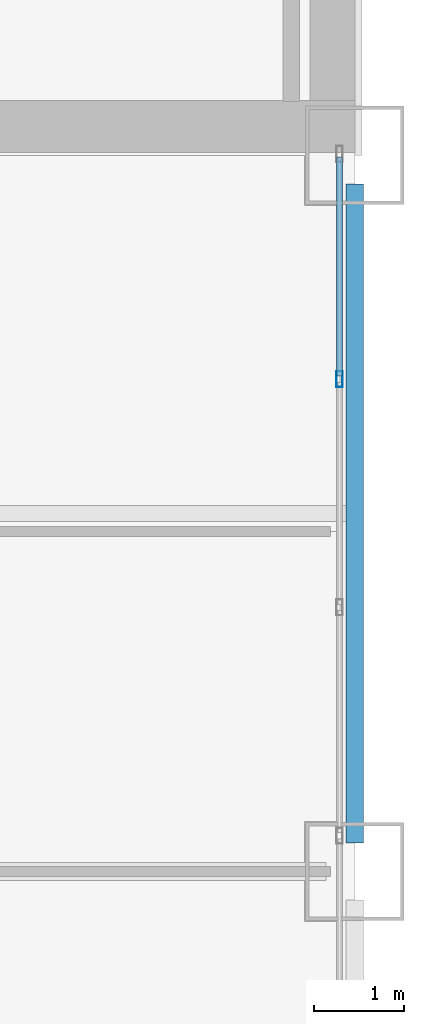
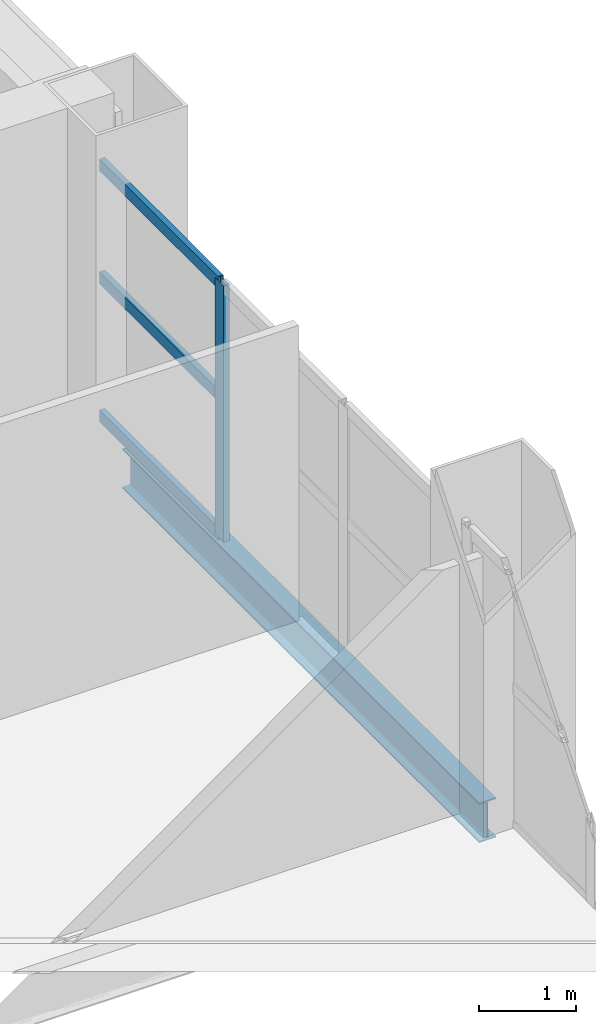
# One storey, part 8 of 16: 4 members, 1 beam, 1 element without a shape of its own.
"""IFC4 building model written with IfcOpenShell, lengths in metres."""

from ifc_helpers import new_model, si_unit, direction, frame, origin, origin_2d, place, context, subcontext, project, spatial, hollow_rectangle, i_section, extrude, material, layer, layer_set, material_profile, profile_set, type_object, element, aggregate, save


model = new_model("IFC4")

# Units and contexts
model_context = context("Model", 3, precision=1e-05, world=origin(), true_north=direction((0.0, 1.0)))
body_context = subcontext(model_context, "Body", "Model", "MODEL_VIEW")
ifc_project = project(units=[si_unit("LENGTHUNIT", "METRE"), si_unit("AREAUNIT", "SQUARE_METRE"), si_unit("VOLUMEUNIT", "CUBIC_METRE"), si_unit("PLANEANGLEUNIT", "RADIAN"), si_unit("MASSUNIT", "GRAM", prefix="KILO")], contexts=[model_context])

# Site, building, storey
site_placement = place(None, origin())
site = spatial("IfcSite", under=ifc_project, at=site_placement, CompositionType="ELEMENT")
building_placement = place(site_placement, origin())
building = spatial("IfcBuilding", under=site, at=building_placement, Name="Qianrong Seaharbour Tower", CompositionType="ELEMENT")
storey_placement = place(building_placement, frame((0.0, 0.0, 123.0)))
storey = spatial("IfcBuildingStorey", under=building, at=storey_placement, Name="L29", CompositionType="ELEMENT", Elevation=123.0)

# Beam
ifc_material_1 = material(Name="Structural steel SN490B", Category="steel")
ifc_material_profile_1 = material_profile(ifc_material_1, i_section(OverallWidth=0.199951171875, OverallDepth=0.5, WebThickness=0.010009765625, FlangeThickness=0.01611328125, FilletRadius=0.02001953125, at=origin_2d()), Name="H500x200x10x16")
ifc_profile_set_1 = profile_set([ifc_material_profile_1], Name="Structural steel SN490B")
beam_type = type_object("IfcBeamType", Name="BM-SP-500", PredefinedType="SPANDREL", material=ifc_profile_set_1)
beam_placement = place(storey_placement, frame((64.0, 28.320068359375, -0.485107421875), z_axis=(0.0, 1.0, 0.0), x_axis=(-1.0, 0.0, 0.0)))
element("IfcBeam", 1, at=beam_placement, inside=storey, type_object=beam_type, Name="L29 Spandrel Girder G9 GE-GF", PredefinedType="SPANDREL", context=body_context, shape_type="SweptSolid", body=[
    extrude(i_section(OverallWidth=0.199951171875, OverallDepth=0.5, WebThickness=0.010009765625, FlangeThickness=0.01611328125, FilletRadius=0.02001953125, at=origin_2d()), origin(), (0.0, 0.0, 1.0), 7.35986328125),
])

# Curtain wall, members
ifc_material_2 = material(Name="Anodised aluminium 6063-T6 and laminated low-e glass", Category="aluminium")
ifc_layer = layer(ifc_material_2, 0.195068359375)
ifc_layer_set = layer_set([ifc_layer], Name="Anodised aluminium 6063-T6 and laminated low-e glass")
curtain_wall_type = type_object("IfcCurtainWallType", Name="CW-SYS-3", PredefinedType="NOTDEFINED", material=ifc_layer_set)
curtain_wall_placement = place(storey_placement, origin())
curtain_wall = element("IfcCurtainWall", 2, at=curtain_wall_placement, inside=storey, type_object=curtain_wall_type, Name="L29 Sky-Garden Wintergarden Curtain Wall EAST_WING", PredefinedType="NOTDEFINED")
ifc_material_3 = material(Name="Extruded aluminium 6063-T6", Category="aluminium")
ifc_material_profile_2 = material_profile(ifc_material_3, hollow_rectangle(XDim=0.070068359375, YDim=0.179931640625, WallThickness=0.00390625, at=origin_2d()), Name="ALU-MUL-180x70x4")
ifc_profile_set_2 = profile_set([ifc_material_profile_2], Name="Extruded aluminium 6063-T6")
member_type_1 = type_object("IfcMemberType", Name="CW-MUL-180", PredefinedType="MULLION", material=ifc_profile_set_2)
member_1_placement = place(storey_placement, frame((63.830078125, 33.5, 0.0), z_axis=(0.0, 0.0, 1.0), x_axis=(1.0, 0.0, 0.0)))
member_1 = element("IfcMember", 3, at=member_1_placement, type_object=member_type_1, Name="CW-3 mullion 2", PredefinedType="MULLION", context=body_context, shape_type="SweptSolid", body=[
    extrude(hollow_rectangle(XDim=0.070068359375, YDim=0.179931640625, WallThickness=0.00390625, at=origin_2d()), origin(), (0.0, 0.0, 1.0), 3.22509765625),
])
ifc_material_profile_3 = material_profile(ifc_material_3, hollow_rectangle(XDim=0.06494140625, YDim=0.14990234375, WallThickness=0.00390625, at=origin_2d()), Name="ALU-TRN-150x65x4")
ifc_profile_set_3 = profile_set([ifc_material_profile_3], Name="Extruded aluminium 6063-T6")
member_type_2 = type_object("IfcMemberType", Name="CW-TRN-150", PredefinedType="USERDEFINED", material=ifc_profile_set_3)
member_2_placement = place(storey_placement, frame((63.830078125, 35.97998046875, 0.032470703125), z_axis=(0.0, -1.0, 0.0), x_axis=(1.0, 0.0, 0.0)))
member_2 = element("IfcMember", 4, at=member_2_placement, type_object=member_type_2, Name="CW-3 transom 1.1", ObjectType="TRANSOM", PredefinedType="USERDEFINED", context=body_context, shape_type="SweptSolid", body=[
    extrude(hollow_rectangle(XDim=0.06494140625, YDim=0.14990234375, WallThickness=0.00390625, at=origin_2d()), origin(), (0.0, 0.0, 1.0), 2.445068359375),
])
member_3_placement = place(storey_placement, frame((63.830078125, 35.97998046875, 1.773681640625), z_axis=(0.0, -1.0, 0.0), x_axis=(1.0, 0.0, 0.0)))
member_3 = element("IfcMember", 5, at=member_3_placement, type_object=member_type_2, Name="CW-3 transom 1.2", ObjectType="TRANSOM", PredefinedType="USERDEFINED", context=body_context, shape_type="SweptSolid", body=[
    extrude(hollow_rectangle(XDim=0.06494140625, YDim=0.14990234375, WallThickness=0.00390625, at=origin_2d()), origin(), (0.0, 0.0, 1.0), 2.445068359375),
])
member_4_placement = place(storey_placement, frame((63.830078125, 35.97998046875, 3.1923828125), z_axis=(0.0, -1.0, 0.0), x_axis=(1.0, 0.0, 0.0)))
member_4 = element("IfcMember", 6, at=member_4_placement, type_object=member_type_2, Name="CW-3 transom 1.3", ObjectType="TRANSOM", PredefinedType="USERDEFINED", context=body_context, shape_type="SweptSolid", body=[
    extrude(hollow_rectangle(XDim=0.06494140625, YDim=0.14990234375, WallThickness=0.00390625, at=origin_2d()), origin(), (0.0, 0.0, 1.0), 2.445068359375),
])
aggregate(curtain_wall, [member_1, member_2, member_3, member_4])

save(model, "model.ifc")
